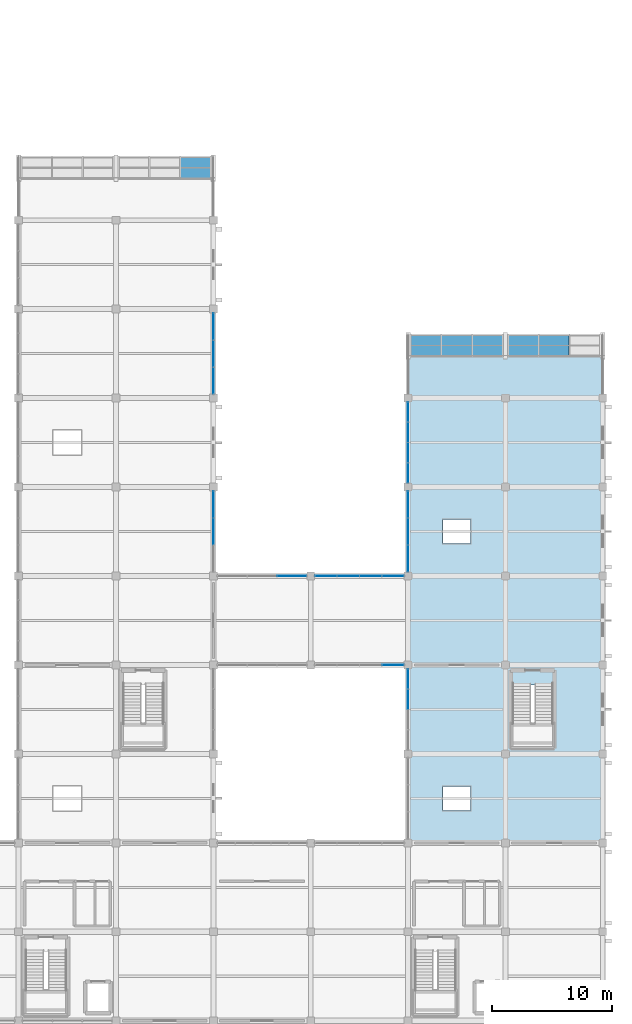
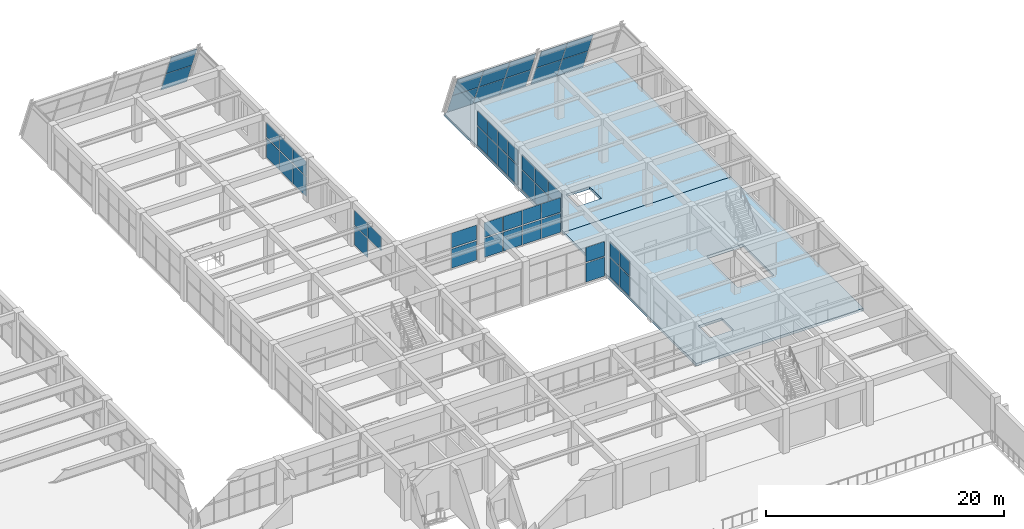
# One storey, part 141 of 161: 51 plates, 2 slabs, 11 elements without a shape of their own.
"""IFC4 building model written with IfcOpenShell, lengths in metres."""

from ifc_helpers import new_model, si_unit, direction, frame, origin, origin_2d, place, context, subcontext, project, spatial, polyline, rectangle, outline, extrude, material, layer, layer_set, type_object, element, aggregate, save


model = new_model("IFC4")

# Units and contexts
model_context = context("Model", 3, precision=1e-05, world=origin(), true_north=direction((0.0, 1.0)))
body_context = subcontext(model_context, "Body", "Model", "MODEL_VIEW")
ifc_project = project(units=[si_unit("LENGTHUNIT", "METRE"), si_unit("AREAUNIT", "SQUARE_METRE"), si_unit("VOLUMEUNIT", "CUBIC_METRE"), si_unit("PLANEANGLEUNIT", "RADIAN"), si_unit("MASSUNIT", "GRAM", prefix="KILO")], contexts=[model_context])

# Site, building, storey
site_placement = place(None, origin())
site = spatial("IfcSite", under=ifc_project, at=site_placement, CompositionType="ELEMENT")
building_placement = place(site_placement, origin())
building = spatial("IfcBuilding", under=site, at=building_placement, Name="Cimatlan Art Gallery", CompositionType="ELEMENT")
storey_placement = place(building_placement, frame((0.0, 0.0, 5.39990234375)))
storey = spatial("IfcBuildingStorey", under=building, at=storey_placement, Name="L01", CompositionType="ELEMENT", Elevation=5.39990234375)

# Curtain wall, plates
ifc_material_1 = material(Name="Anodised bronze unitised curtain wall")
curtain_wall_type_1 = type_object("IfcCurtainWallType", Name="CW-V-06742X03800-B4", PredefinedType="NOTDEFINED", material=ifc_material_1)
curtain_wall_1_placement = place(storey_placement, origin())
curtain_wall_1 = element("IfcCurtainWall", 1, at=curtain_wall_1_placement, inside=storey, type_object=curtain_wall_type_1, Name="CW-L01-18-09-W", PredefinedType="NOTDEFINED")
ifc_material_2 = material(Name="Low-E insulated double glazing", Category="glass")
ifc_layer_1 = layer(ifc_material_2, 0.028076171875)
ifc_layer_set_1 = layer_set([ifc_layer_1], Name="Low-E insulated double glazing")
plate_type_1 = type_object("IfcPlateType", Name="PNL-1627X1488", PredefinedType="CURTAIN_PANEL", material=ifc_layer_set_1)
plate_1_placement = place(storey_placement, frame((147.800048828125, 69.4716796875, 2.18994140625), z_axis=(0.0, 0.0, 1.0), x_axis=(0.0, 1.0, 0.0)))
plate_1 = element("IfcPlate", 2, at=plate_1_placement, type_object=plate_type_1, Name="CW-L01-18-09-W-P12", PredefinedType="CURTAIN_PANEL", context=body_context, shape_type="SweptSolid", body=[
    extrude(rectangle(XDim=1.626953125, YDim=0.028076171875, at=origin_2d()), origin(), (0.0, 0.0, 1.0), 1.488037109375),
])
plate_2_placement = place(storey_placement, frame((147.800048828125, 71.1572265625, 2.18994140625), z_axis=(0.0, 0.0, 1.0), x_axis=(0.0, 1.0, 0.0)))
plate_2 = element("IfcPlate", 3, at=plate_2_placement, type_object=plate_type_1, Name="CW-L01-18-09-W-P22", PredefinedType="CURTAIN_PANEL", context=body_context, shape_type="SweptSolid", body=[
    extrude(rectangle(XDim=1.626953125, YDim=0.028076171875, at=origin_2d()), origin(), (0.0, 0.0, 1.0), 1.488037109375),
])
plate_3_placement = place(storey_placement, frame((147.800048828125, 72.8427734375, 2.18994140625), z_axis=(0.0, 0.0, 1.0), x_axis=(0.0, 1.0, 0.0)))
plate_3 = element("IfcPlate", 4, at=plate_3_placement, type_object=plate_type_1, Name="CW-L01-18-09-W-P32", PredefinedType="CURTAIN_PANEL", context=body_context, shape_type="SweptSolid", body=[
    extrude(rectangle(XDim=1.626953125, YDim=0.028076171875, at=origin_2d()), origin(), (0.0, 0.0, 1.0), 1.488037109375),
])
plate_4_placement = place(storey_placement, frame((147.800048828125, 74.5283203125, 2.18994140625), z_axis=(0.0, 0.0, 1.0), x_axis=(0.0, 1.0, 0.0)))
plate_4 = element("IfcPlate", 5, at=plate_4_placement, type_object=plate_type_1, Name="CW-L01-18-09-W-P42", PredefinedType="CURTAIN_PANEL", context=body_context, shape_type="SweptSolid", body=[
    extrude(rectangle(XDim=1.626953125, YDim=0.028076171875, at=origin_2d()), origin(), (0.0, 0.0, 1.0), 1.488037109375),
])

curtain_wall_type_2 = type_object("IfcCurtainWallType", Name="CW-V-06742X03845-B4", PredefinedType="NOTDEFINED", material=ifc_material_1)
curtain_wall_2_placement = place(storey_placement, origin())
curtain_wall_2 = element("IfcCurtainWall", 6, at=curtain_wall_2_placement, inside=storey, type_object=curtain_wall_type_2, Name="CW-L01-18-06-W", PredefinedType="NOTDEFINED")
ifc_layer_2 = layer(ifc_material_2, 0.028076171875)
ifc_layer_set_2 = layer_set([ifc_layer_2], Name="Low-E insulated double glazing")
plate_type_2 = type_object("IfcPlateType", Name="PNL-1627X1508", PredefinedType="CURTAIN_PANEL", material=ifc_layer_set_2)
plate_5_placement = place(storey_placement, frame((147.800048828125, 50.642822265625, 2.21533203125), z_axis=(0.0, 0.0, 1.0), x_axis=(0.0, 1.0, 0.0)))
plate_5 = element("IfcPlate", 7, at=plate_5_placement, type_object=plate_type_2, Name="CW-L01-18-06-W-P32", PredefinedType="CURTAIN_PANEL", context=body_context, shape_type="SweptSolid", body=[
    extrude(rectangle(XDim=1.626953125, YDim=0.028076171875, at=origin_2d()), origin(), (0.0, 0.0, 1.0), 1.508056640625),
])
plate_6_placement = place(storey_placement, frame((147.800048828125, 52.328369140625, 2.21533203125), z_axis=(0.0, 0.0, 1.0), x_axis=(0.0, 1.0, 0.0)))
plate_6 = element("IfcPlate", 8, at=plate_6_placement, type_object=plate_type_2, Name="CW-L01-18-06-W-P42", PredefinedType="CURTAIN_PANEL", context=body_context, shape_type="SweptSolid", body=[
    extrude(rectangle(XDim=1.626953125, YDim=0.028076171875, at=origin_2d()), origin(), (0.0, 0.0, 1.0), 1.508056640625),
])

# Plate
ifc_layer_3 = layer(ifc_material_2, 0.028076171875)
ifc_layer_set_3 = layer_set([ifc_layer_3], Name="Low-E insulated double glazing")
plate_type_3 = type_object("IfcPlateType", Name="PNL-1627X1944", PredefinedType="CURTAIN_PANEL", material=ifc_layer_set_3)
plate_7_placement = place(storey_placement, frame((147.800048828125, 69.4716796875, 0.1220703125), z_axis=(0.0, 0.0, 1.0), x_axis=(0.0, 1.0, 0.0)))
plate_7 = element("IfcPlate", 9, at=plate_7_placement, type_object=plate_type_3, Name="CW-L01-18-09-W-P11", PredefinedType="CURTAIN_PANEL", context=body_context, shape_type="SweptSolid", body=[
    extrude(rectangle(XDim=1.626953125, YDim=0.028076171875, at=origin_2d()), origin(), (0.0, 0.0, 1.0), 1.944091796875),
])

plate_8_placement = place(storey_placement, frame((147.800048828125, 71.1572265625, 0.1220703125), z_axis=(0.0, 0.0, 1.0), x_axis=(0.0, 1.0, 0.0)))
plate_8 = element("IfcPlate", 10, at=plate_8_placement, type_object=plate_type_3, Name="CW-L01-18-09-W-P21", PredefinedType="CURTAIN_PANEL", context=body_context, shape_type="SweptSolid", body=[
    extrude(rectangle(XDim=1.626953125, YDim=0.028076171875, at=origin_2d()), origin(), (0.0, 0.0, 1.0), 1.944091796875),
])

plate_9_placement = place(storey_placement, frame((147.800048828125, 72.8427734375, 0.1220703125), z_axis=(0.0, 0.0, 1.0), x_axis=(0.0, 1.0, 0.0)))
plate_9 = element("IfcPlate", 11, at=plate_9_placement, type_object=plate_type_3, Name="CW-L01-18-09-W-P31", PredefinedType="CURTAIN_PANEL", context=body_context, shape_type="SweptSolid", body=[
    extrude(rectangle(XDim=1.626953125, YDim=0.028076171875, at=origin_2d()), origin(), (0.0, 0.0, 1.0), 1.944091796875),
])

plate_10_placement = place(storey_placement, frame((147.800048828125, 74.5283203125, 0.1220703125), z_axis=(0.0, 0.0, 1.0), x_axis=(0.0, 1.0, 0.0)))
plate_10 = element("IfcPlate", 12, at=plate_10_placement, type_object=plate_type_3, Name="CW-L01-18-09-W-P41", PredefinedType="CURTAIN_PANEL", context=body_context, shape_type="SweptSolid", body=[
    extrude(rectangle(XDim=1.626953125, YDim=0.028076171875, at=origin_2d()), origin(), (0.0, 0.0, 1.0), 1.944091796875),
])

aggregate(curtain_wall_1, [plate_7, plate_1, plate_8, plate_2, plate_9, plate_3, plate_10, plate_4])

ifc_layer_4 = layer(ifc_material_2, 0.028076171875)
ifc_layer_set_4 = layer_set([ifc_layer_4], Name="Low-E insulated double glazing")
plate_type_4 = type_object("IfcPlateType", Name="PNL-1627X1969", PredefinedType="CURTAIN_PANEL", material=ifc_layer_set_4)
plate_11_placement = place(storey_placement, frame((147.800048828125, 50.642822265625, 0.1220703125), z_axis=(0.0, 0.0, 1.0), x_axis=(0.0, 1.0, 0.0)))
plate_11 = element("IfcPlate", 13, at=plate_11_placement, type_object=plate_type_4, Name="CW-L01-18-06-W-P31", PredefinedType="CURTAIN_PANEL", context=body_context, shape_type="SweptSolid", body=[
    extrude(rectangle(XDim=1.626953125, YDim=0.028076171875, at=origin_2d()), origin(), (0.0, 0.0, 1.0), 1.968994140625),
])

plate_12_placement = place(storey_placement, frame((147.800048828125, 52.328369140625, 0.1220703125), z_axis=(0.0, 0.0, 1.0), x_axis=(0.0, 1.0, 0.0)))
plate_12 = element("IfcPlate", 14, at=plate_12_placement, type_object=plate_type_4, Name="CW-L01-18-06-W-P41", PredefinedType="CURTAIN_PANEL", context=body_context, shape_type="SweptSolid", body=[
    extrude(rectangle(XDim=1.626953125, YDim=0.028076171875, at=origin_2d()), origin(), (0.0, 0.0, 1.0), 1.968994140625),
])

aggregate(curtain_wall_2, [plate_11, plate_5, plate_12, plate_6])

# Curtain wall, plate
curtain_wall_type_3 = type_object("IfcCurtainWallType", Name="CW-V-07442X03785-B4", PredefinedType="NOTDEFINED", material=ifc_material_1)
curtain_wall_3_placement = place(storey_placement, origin())
curtain_wall_3 = element("IfcCurtainWall", 15, at=curtain_wall_3_placement, inside=storey, type_object=curtain_wall_type_3, Name="CW-L01-17-07-S", PredefinedType="NOTDEFINED")
ifc_layer_5 = layer(ifc_material_2, 0.028076171875)
ifc_layer_set_5 = layer_set([ifc_layer_5], Name="Low-E insulated double glazing")
plate_type_5 = type_object("IfcPlateType", Name="PNL-1802X1481", PredefinedType="CURTAIN_PANEL", material=ifc_layer_set_5)
plate_13_placement = place(storey_placement, frame((146.540771484375, 53.5, 2.181884765625), z_axis=(0.0, 0.0, 1.0), x_axis=(-1.0, 0.0, 0.0)))
plate_13 = element("IfcPlate", 16, at=plate_13_placement, type_object=plate_type_5, Name="CW-L01-17-07-S-P12", PredefinedType="CURTAIN_PANEL", context=body_context, shape_type="SweptSolid", body=[
    extrude(rectangle(XDim=1.802001953125, YDim=0.028076171875, at=origin_2d()), origin(), (0.0, 0.0, 1.0), 1.48095703125),
])

# Curtain wall, plates
curtain_wall_4_placement = place(storey_placement, origin())
curtain_wall_4 = element("IfcCurtainWall", 17, at=curtain_wall_4_placement, inside=storey, type_object=curtain_wall_type_3, Name="CW-L01-17-07-N", PredefinedType="NOTDEFINED")
plate_14_placement = place(storey_placement, frame((140.959228515625, 60.89990234375, 2.181884765625), z_axis=(0.0, 0.0, 1.0), x_axis=(1.0, 0.0, 0.0)))
plate_14 = element("IfcPlate", 18, at=plate_14_placement, type_object=plate_type_5, Name="CW-L01-17-07-N-P12", PredefinedType="CURTAIN_PANEL", context=body_context, shape_type="SweptSolid", body=[
    extrude(rectangle(XDim=1.802001953125, YDim=0.028076171875, at=origin_2d()), origin(), (0.0, 0.0, 1.0), 1.48095703125),
])
plate_15_placement = place(storey_placement, frame((142.81982421875, 60.89990234375, 2.181884765625), z_axis=(0.0, 0.0, 1.0), x_axis=(1.0, 0.0, 0.0)))
plate_15 = element("IfcPlate", 19, at=plate_15_placement, type_object=plate_type_5, Name="CW-L01-17-07-N-P22", PredefinedType="CURTAIN_PANEL", context=body_context, shape_type="SweptSolid", body=[
    extrude(rectangle(XDim=1.802001953125, YDim=0.028076171875, at=origin_2d()), origin(), (0.0, 0.0, 1.0), 1.48095703125),
])
plate_16_placement = place(storey_placement, frame((144.68017578125, 60.89990234375, 2.181884765625), z_axis=(0.0, 0.0, 1.0), x_axis=(1.0, 0.0, 0.0)))
plate_16 = element("IfcPlate", 20, at=plate_16_placement, type_object=plate_type_5, Name="CW-L01-17-07-N-P32", PredefinedType="CURTAIN_PANEL", context=body_context, shape_type="SweptSolid", body=[
    extrude(rectangle(XDim=1.802001953125, YDim=0.028076171875, at=origin_2d()), origin(), (0.0, 0.0, 1.0), 1.48095703125),
])
plate_17_placement = place(storey_placement, frame((146.540771484375, 60.89990234375, 2.181884765625), z_axis=(0.0, 0.0, 1.0), x_axis=(1.0, 0.0, 0.0)))
plate_17 = element("IfcPlate", 21, at=plate_17_placement, type_object=plate_type_5, Name="CW-L01-17-07-N-P42", PredefinedType="CURTAIN_PANEL", context=body_context, shape_type="SweptSolid", body=[
    extrude(rectangle(XDim=1.802001953125, YDim=0.028076171875, at=origin_2d()), origin(), (0.0, 0.0, 1.0), 1.48095703125),
])

# Plate
ifc_layer_6 = layer(ifc_material_2, 0.028076171875)
ifc_layer_set_6 = layer_set([ifc_layer_6], Name="Low-E insulated double glazing")
plate_type_6 = type_object("IfcPlateType", Name="PNL-1802X1936", PredefinedType="CURTAIN_PANEL", material=ifc_layer_set_6)
plate_18_placement = place(storey_placement, frame((146.540771484375, 53.5, 0.121826171875), z_axis=(0.0, 0.0, 1.0), x_axis=(-1.0, 0.0, 0.0)))
plate_18 = element("IfcPlate", 22, at=plate_18_placement, type_object=plate_type_6, Name="CW-L01-17-07-S-P11", PredefinedType="CURTAIN_PANEL", context=body_context, shape_type="SweptSolid", body=[
    extrude(rectangle(XDim=1.802001953125, YDim=0.028076171875, at=origin_2d()), origin(), (0.0, 0.0, 1.0), 1.93603515625),
])

aggregate(curtain_wall_3, [plate_18, plate_13])

plate_19_placement = place(storey_placement, frame((140.959228515625, 60.89990234375, 0.121826171875), z_axis=(0.0, 0.0, 1.0), x_axis=(1.0, 0.0, 0.0)))
plate_19 = element("IfcPlate", 23, at=plate_19_placement, type_object=plate_type_6, Name="CW-L01-17-07-N-P11", PredefinedType="CURTAIN_PANEL", context=body_context, shape_type="SweptSolid", body=[
    extrude(rectangle(XDim=1.802001953125, YDim=0.028076171875, at=origin_2d()), origin(), (0.0, 0.0, 1.0), 1.93603515625),
])

plate_20_placement = place(storey_placement, frame((142.81982421875, 60.89990234375, 0.121826171875), z_axis=(0.0, 0.0, 1.0), x_axis=(1.0, 0.0, 0.0)))
plate_20 = element("IfcPlate", 24, at=plate_20_placement, type_object=plate_type_6, Name="CW-L01-17-07-N-P21", PredefinedType="CURTAIN_PANEL", context=body_context, shape_type="SweptSolid", body=[
    extrude(rectangle(XDim=1.802001953125, YDim=0.028076171875, at=origin_2d()), origin(), (0.0, 0.0, 1.0), 1.93603515625),
])

plate_21_placement = place(storey_placement, frame((144.68017578125, 60.89990234375, 0.121826171875), z_axis=(0.0, 0.0, 1.0), x_axis=(1.0, 0.0, 0.0)))
plate_21 = element("IfcPlate", 25, at=plate_21_placement, type_object=plate_type_6, Name="CW-L01-17-07-N-P31", PredefinedType="CURTAIN_PANEL", context=body_context, shape_type="SweptSolid", body=[
    extrude(rectangle(XDim=1.802001953125, YDim=0.028076171875, at=origin_2d()), origin(), (0.0, 0.0, 1.0), 1.93603515625),
])

plate_22_placement = place(storey_placement, frame((146.540771484375, 60.89990234375, 0.121826171875), z_axis=(0.0, 0.0, 1.0), x_axis=(1.0, 0.0, 0.0)))
plate_22 = element("IfcPlate", 26, at=plate_22_placement, type_object=plate_type_6, Name="CW-L01-17-07-N-P41", PredefinedType="CURTAIN_PANEL", context=body_context, shape_type="SweptSolid", body=[
    extrude(rectangle(XDim=1.802001953125, YDim=0.028076171875, at=origin_2d()), origin(), (0.0, 0.0, 1.0), 1.93603515625),
])

aggregate(curtain_wall_4, [plate_19, plate_14, plate_20, plate_15, plate_21, plate_16, plate_22, plate_17])

# Curtain wall, plates
curtain_wall_type_4 = type_object("IfcCurtainWallType", Name="CW-V-06742X03770-B3", PredefinedType="NOTDEFINED", material=ifc_material_1)
curtain_wall_5_placement = place(storey_placement, origin())
curtain_wall_5 = element("IfcCurtainWall", 27, at=curtain_wall_5_placement, inside=storey, type_object=curtain_wall_type_4, Name="CW-L01-15-08-E", PredefinedType="NOTDEFINED")
ifc_layer_7 = layer(ifc_material_2, 0.028076171875)
ifc_layer_set_7 = layer_set([ifc_layer_7], Name="Low-E insulated double glazing")
plate_type_7 = type_object("IfcPlateType", Name="PNL-2189X1475", PredefinedType="CURTAIN_PANEL", material=ifc_layer_set_7)
plate_23_placement = place(storey_placement, frame((131.60009765625, 66.847412109375, 2.173095703125), z_axis=(0.0, 0.0, 1.0), x_axis=(0.0, -1.0, 0.0)))
plate_23 = element("IfcPlate", 28, at=plate_23_placement, type_object=plate_type_7, Name="CW-L01-15-08-E-P12", PredefinedType="CURTAIN_PANEL", context=body_context, shape_type="SweptSolid", body=[
    extrude(rectangle(XDim=2.18896484375, YDim=0.028076171875, at=origin_2d()), origin(), (0.0, 0.0, 1.0), 1.47509765625),
])
plate_24_placement = place(storey_placement, frame((131.60009765625, 64.60009765625, 2.173095703125), z_axis=(0.0, 0.0, 1.0), x_axis=(0.0, -1.0, 0.0)))
plate_24 = element("IfcPlate", 29, at=plate_24_placement, type_object=plate_type_7, Name="CW-L01-15-08-E-P22", PredefinedType="CURTAIN_PANEL", context=body_context, shape_type="SweptSolid", body=[
    extrude(rectangle(XDim=2.18896484375, YDim=0.028076171875, at=origin_2d()), origin(), (0.0, 0.0, 1.0), 1.47509765625),
])

curtain_wall_type_5 = type_object("IfcCurtainWallType", Name="CW-V-06742X03815-B3", PredefinedType="NOTDEFINED", material=ifc_material_1)
curtain_wall_6_placement = place(storey_placement, origin())
curtain_wall_6 = element("IfcCurtainWall", 30, at=curtain_wall_6_placement, inside=storey, type_object=curtain_wall_type_5, Name="CW-L01-18-08-W", PredefinedType="NOTDEFINED")
ifc_layer_8 = layer(ifc_material_2, 0.028076171875)
ifc_layer_set_8 = layer_set([ifc_layer_8], Name="Low-E insulated double glazing")
plate_type_8 = type_object("IfcPlateType", Name="PNL-2189X1495", PredefinedType="CURTAIN_PANEL", material=ifc_layer_set_8)
plate_25_placement = place(storey_placement, frame((147.800048828125, 62.352783203125, 2.1982421875), z_axis=(0.0, 0.0, 1.0), x_axis=(0.0, 1.0, 0.0)))
plate_25 = element("IfcPlate", 31, at=plate_25_placement, type_object=plate_type_8, Name="CW-L01-18-08-W-P12", PredefinedType="CURTAIN_PANEL", context=body_context, shape_type="SweptSolid", body=[
    extrude(rectangle(XDim=2.18896484375, YDim=0.028076171875, at=origin_2d()), origin(), (0.0, 0.0, 1.0), 1.4951171875),
])
plate_26_placement = place(storey_placement, frame((147.800048828125, 64.60009765625, 2.1982421875), z_axis=(0.0, 0.0, 1.0), x_axis=(0.0, 1.0, 0.0)))
plate_26 = element("IfcPlate", 32, at=plate_26_placement, type_object=plate_type_8, Name="CW-L01-18-08-W-P22", PredefinedType="CURTAIN_PANEL", context=body_context, shape_type="SweptSolid", body=[
    extrude(rectangle(XDim=2.18896484375, YDim=0.028076171875, at=origin_2d()), origin(), (0.0, 0.0, 1.0), 1.4951171875),
])
plate_27_placement = place(storey_placement, frame((147.800048828125, 66.847412109375, 2.1982421875), z_axis=(0.0, 0.0, 1.0), x_axis=(0.0, 1.0, 0.0)))
plate_27 = element("IfcPlate", 33, at=plate_27_placement, type_object=plate_type_8, Name="CW-L01-18-08-W-P32", PredefinedType="CURTAIN_PANEL", context=body_context, shape_type="SweptSolid", body=[
    extrude(rectangle(XDim=2.18896484375, YDim=0.028076171875, at=origin_2d()), origin(), (0.0, 0.0, 1.0), 1.4951171875),
])

curtain_wall_type_6 = type_object("IfcCurtainWallType", Name="CW-V-06742X03830-B3", PredefinedType="NOTDEFINED", material=ifc_material_1)
curtain_wall_7_placement = place(storey_placement, origin())
curtain_wall_7 = element("IfcCurtainWall", 34, at=curtain_wall_7_placement, inside=storey, type_object=curtain_wall_type_6, Name="CW-L01-15-10-E", PredefinedType="NOTDEFINED")
ifc_layer_9 = layer(ifc_material_2, 0.028076171875)
ifc_layer_set_9 = layer_set([ifc_layer_9], Name="Low-E insulated double glazing")
plate_type_9 = type_object("IfcPlateType", Name="PNL-2189X1501", PredefinedType="CURTAIN_PANEL", material=ifc_layer_set_9)
plate_28_placement = place(storey_placement, frame((131.60009765625, 81.647216796875, 2.20703125), z_axis=(0.0, 0.0, 1.0), x_axis=(0.0, -1.0, 0.0)))
plate_28 = element("IfcPlate", 35, at=plate_28_placement, type_object=plate_type_9, Name="CW-L01-15-10-E-P12", PredefinedType="CURTAIN_PANEL", context=body_context, shape_type="SweptSolid", body=[
    extrude(rectangle(XDim=2.18896484375, YDim=0.028076171875, at=origin_2d()), origin(), (0.0, 0.0, 1.0), 1.5009765625),
])
plate_29_placement = place(storey_placement, frame((131.60009765625, 79.39990234375, 2.20703125), z_axis=(0.0, 0.0, 1.0), x_axis=(0.0, -1.0, 0.0)))
plate_29 = element("IfcPlate", 36, at=plate_29_placement, type_object=plate_type_9, Name="CW-L01-15-10-E-P22", PredefinedType="CURTAIN_PANEL", context=body_context, shape_type="SweptSolid", body=[
    extrude(rectangle(XDim=2.18896484375, YDim=0.028076171875, at=origin_2d()), origin(), (0.0, 0.0, 1.0), 1.5009765625),
])
plate_30_placement = place(storey_placement, frame((131.60009765625, 77.152587890625, 2.20703125), z_axis=(0.0, 0.0, 1.0), x_axis=(0.0, -1.0, 0.0)))
plate_30 = element("IfcPlate", 37, at=plate_30_placement, type_object=plate_type_9, Name="CW-L01-15-10-E-P32", PredefinedType="CURTAIN_PANEL", context=body_context, shape_type="SweptSolid", body=[
    extrude(rectangle(XDim=2.18896484375, YDim=0.028076171875, at=origin_2d()), origin(), (0.0, 0.0, 1.0), 1.5009765625),
])

# Plate
ifc_layer_10 = layer(ifc_material_2, 0.028076171875)
ifc_layer_set_10 = layer_set([ifc_layer_10], Name="Low-E insulated double glazing")
plate_type_10 = type_object("IfcPlateType", Name="PNL-2189X1927", PredefinedType="CURTAIN_PANEL", material=ifc_layer_set_10)
plate_31_placement = place(storey_placement, frame((131.60009765625, 66.847412109375, 0.1220703125), z_axis=(0.0, 0.0, 1.0), x_axis=(0.0, -1.0, 0.0)))
plate_31 = element("IfcPlate", 38, at=plate_31_placement, type_object=plate_type_10, Name="CW-L01-15-08-E-P11", PredefinedType="CURTAIN_PANEL", context=body_context, shape_type="SweptSolid", body=[
    extrude(rectangle(XDim=2.18896484375, YDim=0.028076171875, at=origin_2d()), origin(), (0.0, 0.0, 1.0), 1.927001953125),
])

aggregate(curtain_wall_5, [plate_31, plate_23, plate_24])

ifc_layer_11 = layer(ifc_material_2, 0.028076171875)
ifc_layer_set_11 = layer_set([ifc_layer_11], Name="Low-E insulated double glazing")
plate_type_11 = type_object("IfcPlateType", Name="PNL-2189X1952", PredefinedType="CURTAIN_PANEL", material=ifc_layer_set_11)
plate_32_placement = place(storey_placement, frame((147.800048828125, 62.352783203125, 0.12255859375), z_axis=(0.0, 0.0, 1.0), x_axis=(0.0, 1.0, 0.0)))
plate_32 = element("IfcPlate", 39, at=plate_32_placement, type_object=plate_type_11, Name="CW-L01-18-08-W-P11", PredefinedType="CURTAIN_PANEL", context=body_context, shape_type="SweptSolid", body=[
    extrude(rectangle(XDim=2.18896484375, YDim=0.028076171875, at=origin_2d()), origin(), (0.0, 0.0, 1.0), 1.951904296875),
])

plate_33_placement = place(storey_placement, frame((147.800048828125, 64.60009765625, 0.12255859375), z_axis=(0.0, 0.0, 1.0), x_axis=(0.0, 1.0, 0.0)))
plate_33 = element("IfcPlate", 40, at=plate_33_placement, type_object=plate_type_11, Name="CW-L01-18-08-W-P21", PredefinedType="CURTAIN_PANEL", context=body_context, shape_type="SweptSolid", body=[
    extrude(rectangle(XDim=2.18896484375, YDim=0.028076171875, at=origin_2d()), origin(), (0.0, 0.0, 1.0), 1.951904296875),
])

plate_34_placement = place(storey_placement, frame((147.800048828125, 66.847412109375, 0.12255859375), z_axis=(0.0, 0.0, 1.0), x_axis=(0.0, 1.0, 0.0)))
plate_34 = element("IfcPlate", 41, at=plate_34_placement, type_object=plate_type_11, Name="CW-L01-18-08-W-P31", PredefinedType="CURTAIN_PANEL", context=body_context, shape_type="SweptSolid", body=[
    extrude(rectangle(XDim=2.18896484375, YDim=0.028076171875, at=origin_2d()), origin(), (0.0, 0.0, 1.0), 1.951904296875),
])

aggregate(curtain_wall_6, [plate_32, plate_25, plate_33, plate_26, plate_34, plate_27])

ifc_layer_12 = layer(ifc_material_2, 0.028076171875)
ifc_layer_set_12 = layer_set([ifc_layer_12], Name="Low-E insulated double glazing")
plate_type_12 = type_object("IfcPlateType", Name="PNL-2189X1961", PredefinedType="CURTAIN_PANEL", material=ifc_layer_set_12)
plate_35_placement = place(storey_placement, frame((131.60009765625, 81.647216796875, 0.1220703125), z_axis=(0.0, 0.0, 1.0), x_axis=(0.0, -1.0, 0.0)))
plate_35 = element("IfcPlate", 42, at=plate_35_placement, type_object=plate_type_12, Name="CW-L01-15-10-E-P11", PredefinedType="CURTAIN_PANEL", context=body_context, shape_type="SweptSolid", body=[
    extrude(rectangle(XDim=2.18896484375, YDim=0.028076171875, at=origin_2d()), origin(), (0.0, 0.0, 1.0), 1.9609375),
])

plate_36_placement = place(storey_placement, frame((131.60009765625, 79.39990234375, 0.1220703125), z_axis=(0.0, 0.0, 1.0), x_axis=(0.0, -1.0, 0.0)))
plate_36 = element("IfcPlate", 43, at=plate_36_placement, type_object=plate_type_12, Name="CW-L01-15-10-E-P21", PredefinedType="CURTAIN_PANEL", context=body_context, shape_type="SweptSolid", body=[
    extrude(rectangle(XDim=2.18896484375, YDim=0.028076171875, at=origin_2d()), origin(), (0.0, 0.0, 1.0), 1.9609375),
])

plate_37_placement = place(storey_placement, frame((131.60009765625, 77.152587890625, 0.1220703125), z_axis=(0.0, 0.0, 1.0), x_axis=(0.0, -1.0, 0.0)))
plate_37 = element("IfcPlate", 44, at=plate_37_placement, type_object=plate_type_12, Name="CW-L01-15-10-E-P31", PredefinedType="CURTAIN_PANEL", context=body_context, shape_type="SweptSolid", body=[
    extrude(rectangle(XDim=2.18896484375, YDim=0.028076171875, at=origin_2d()), origin(), (0.0, 0.0, 1.0), 1.9609375),
])

aggregate(curtain_wall_7, [plate_35, plate_28, plate_36, plate_29, plate_37, plate_30])

# Curtain wall, plates
curtain_wall_type_7 = type_object("IfcCurtainWallType", Name="CW-V-07442X03830-B3", PredefinedType="NOTDEFINED", material=ifc_material_1)
curtain_wall_8_placement = place(storey_placement, origin())
curtain_wall_8 = element("IfcCurtainWall", 45, at=curtain_wall_8_placement, inside=storey, type_object=curtain_wall_type_7, Name="CW-L01-16-07-N", PredefinedType="NOTDEFINED")
ifc_layer_13 = layer(ifc_material_2, 0.028076171875)
ifc_layer_set_13 = layer_set([ifc_layer_13], Name="Low-E insulated double glazing")
plate_type_13 = type_object("IfcPlateType", Name="PNL-2423X1501", PredefinedType="CURTAIN_PANEL", material=ifc_layer_set_13)
plate_38_placement = place(storey_placement, frame((138.130615234375, 60.89990234375, 2.20703125), z_axis=(0.0, 0.0, 1.0), x_axis=(1.0, 0.0, 0.0)))
plate_38 = element("IfcPlate", 46, at=plate_38_placement, type_object=plate_type_13, Name="CW-L01-16-07-N-P32", PredefinedType="CURTAIN_PANEL", context=body_context, shape_type="SweptSolid", body=[
    extrude(rectangle(XDim=2.423095703125, YDim=0.028076171875, at=origin_2d()), origin(), (0.0, 0.0, 1.0), 1.5009765625),
])
ifc_layer_14 = layer(ifc_material_2, 0.028076171875)
ifc_layer_set_14 = layer_set([ifc_layer_14], Name="Low-E insulated double glazing")
plate_type_14 = type_object("IfcPlateType", Name="PNL-2423X1961", PredefinedType="CURTAIN_PANEL", material=ifc_layer_set_14)
plate_39_placement = place(storey_placement, frame((138.130615234375, 60.89990234375, 0.1220703125), z_axis=(0.0, 0.0, 1.0), x_axis=(1.0, 0.0, 0.0)))
plate_39 = element("IfcPlate", 47, at=plate_39_placement, type_object=plate_type_14, Name="CW-L01-16-07-N-P31", PredefinedType="CURTAIN_PANEL", context=body_context, shape_type="SweptSolid", body=[
    extrude(rectangle(XDim=2.423095703125, YDim=0.028076171875, at=origin_2d()), origin(), (0.0, 0.0, 1.0), 1.9609375),
])
aggregate(curtain_wall_8, [plate_39, plate_38])

ifc_material_3 = material(Name="Raked steel-and-bronze lancet curtain wall", Category="steel")
curtain_wall_type_8 = type_object("IfcCurtainWallType", Name="CW-RAK-07660X04901-B3", PredefinedType="NOTDEFINED", material=ifc_material_3)
curtain_wall_9_placement = place(storey_placement, origin())
curtain_wall_9 = element("IfcCurtainWall", 48, at=curtain_wall_9_placement, inside=storey, type_object=curtain_wall_type_8, Name="CW-PROW-L01-B4-15", PredefinedType="NOTDEFINED")
ifc_material_4 = material(Name="Low-E laminated skylight safety glazing", Category="glass")
ifc_layer_15 = layer(ifc_material_4, 0.031982421875)
ifc_layer_set_15 = layer_set([ifc_layer_15], Name="Low-E laminated skylight safety glazing")
plate_type_15 = type_object("IfcPlateType", Name="PNL-RAK-2513X2352", PredefinedType="CURTAIN_PANEL", material=ifc_layer_set_15)
plate_40_placement = place(storey_placement, frame((128.8466796875, 95.74609375, 0.068603515625), z_axis=(0.0, 0.930396595291, 0.366554464536), x_axis=(1.0, 0.0, 0.0)))
plate_40 = element("IfcPlate", 49, at=plate_40_placement, type_object=plate_type_15, Name="CW-PROW-L01-B4-15-P31", PredefinedType="CURTAIN_PANEL", context=body_context, shape_type="SweptSolid", body=[
    extrude(outline(polyline([(0.0, 0.0), (2.51318359375, 0.0), (2.51318359375, -2.3524599232234475), (0.0, -2.3524599232234475), (0.0, 0.0)])), origin(), (0.0, 0.0, -1.0), 0.031982421875),
])
plate_41_placement = place(storey_placement, frame((128.8466796875, 94.86572265625, 2.302978515625), z_axis=(0.0, 0.930431985876, 0.366464622658), x_axis=(1.0, 0.0, 0.0)))
plate_41 = element("IfcPlate", 50, at=plate_41_placement, type_object=plate_type_15, Name="CW-PROW-L01-B4-15-P32", PredefinedType="CURTAIN_PANEL", context=body_context, shape_type="SweptSolid", body=[
    extrude(outline(polyline([(0.0, 0.0), (2.51318359375, 0.0), (2.51318359375, -2.352370443354196), (0.0, -2.352370443354196), (0.0, 0.0)])), origin(), (0.0, 0.0, -1.0), 0.031982421875),
])
aggregate(curtain_wall_9, [plate_40, plate_41])

curtain_wall_10_placement = place(storey_placement, origin())
curtain_wall_10 = element("IfcCurtainWall", 51, at=curtain_wall_10_placement, inside=storey, type_object=curtain_wall_type_8, Name="CW-PROW-L01-B5-18", PredefinedType="NOTDEFINED")
plate_42_placement = place(storey_placement, frame((148.040283203125, 80.946044921875, 0.068603515625), z_axis=(0.0, 0.930396595291, 0.366554464536), x_axis=(1.0, 0.0, 0.0)))
plate_42 = element("IfcPlate", 52, at=plate_42_placement, type_object=plate_type_15, Name="CW-PROW-L01-B5-18-P11", PredefinedType="CURTAIN_PANEL", context=body_context, shape_type="SweptSolid", body=[
    extrude(outline(polyline([(0.0, 0.0), (2.512939453125, 0.0), (2.512939453125, -2.352459923223447), (0.0, -2.352459923223447), (0.0, 0.0)])), origin(), (0.0, 0.0, -1.0), 0.031982421875),
])
plate_43_placement = place(storey_placement, frame((148.040283203125, 80.06591796875, 2.302978515625), z_axis=(0.0, 0.930396595291, 0.366554464536), x_axis=(1.0, 0.0, 0.0)))
plate_43 = element("IfcPlate", 53, at=plate_43_placement, type_object=plate_type_15, Name="CW-PROW-L01-B5-18-P12", PredefinedType="CURTAIN_PANEL", context=body_context, shape_type="SweptSolid", body=[
    extrude(outline(polyline([(0.0, 0.0), (2.512939453125, 0.0), (2.512939453125, -2.352459923223447), (0.0, -2.352459923223447), (0.0, 0.0)])), origin(), (0.0, 0.0, -1.0), 0.031982421875),
])
plate_44_placement = place(storey_placement, frame((150.593505859375, 80.946044921875, 0.068603515625), z_axis=(0.0, 0.930396595291, 0.366554464536), x_axis=(1.0, 0.0, 0.0)))
plate_44 = element("IfcPlate", 54, at=plate_44_placement, type_object=plate_type_15, Name="CW-PROW-L01-B5-18-P21", PredefinedType="CURTAIN_PANEL", context=body_context, shape_type="SweptSolid", body=[
    extrude(outline(polyline([(0.0, 0.0), (2.512939453125, 0.0), (2.512939453125, -2.352459923223447), (0.0, -2.352459923223447), (0.0, 0.0)])), origin(), (0.0, 0.0, -1.0), 0.031982421875),
])
plate_45_placement = place(storey_placement, frame((150.593505859375, 80.06591796875, 2.302978515625), z_axis=(0.0, 0.930396595291, 0.366554464536), x_axis=(1.0, 0.0, 0.0)))
plate_45 = element("IfcPlate", 55, at=plate_45_placement, type_object=plate_type_15, Name="CW-PROW-L01-B5-18-P22", PredefinedType="CURTAIN_PANEL", context=body_context, shape_type="SweptSolid", body=[
    extrude(outline(polyline([(0.0, 0.0), (2.512939453125, 0.0), (2.512939453125, -2.352459923223447), (0.0, -2.352459923223447), (0.0, 0.0)])), origin(), (0.0, 0.0, -1.0), 0.031982421875),
])
plate_46_placement = place(storey_placement, frame((153.146728515625, 80.946044921875, 0.068603515625), z_axis=(0.0, 0.930396595291, 0.366554464536), x_axis=(1.0, 0.0, 0.0)))
plate_46 = element("IfcPlate", 56, at=plate_46_placement, type_object=plate_type_15, Name="CW-PROW-L01-B5-18-P31", PredefinedType="CURTAIN_PANEL", context=body_context, shape_type="SweptSolid", body=[
    extrude(outline(polyline([(0.0, 0.0), (2.51318359375, 0.0), (2.51318359375, -2.3524599232234475), (0.0, -2.3524599232234475), (0.0, 0.0)])), origin(), (0.0, 0.0, -1.0), 0.031982421875),
])
plate_47_placement = place(storey_placement, frame((153.146728515625, 80.06591796875, 2.302978515625), z_axis=(0.0, 0.930396595291, 0.366554464536), x_axis=(1.0, 0.0, 0.0)))
plate_47 = element("IfcPlate", 57, at=plate_47_placement, type_object=plate_type_15, Name="CW-PROW-L01-B5-18-P32", PredefinedType="CURTAIN_PANEL", context=body_context, shape_type="SweptSolid", body=[
    extrude(outline(polyline([(0.0, 0.0), (2.51318359375, 0.0), (2.51318359375, -2.3524599232234475), (0.0, -2.3524599232234475), (0.0, 0.0)])), origin(), (0.0, 0.0, -1.0), 0.031982421875),
])
aggregate(curtain_wall_10, [plate_42, plate_43, plate_44, plate_45, plate_46, plate_47])

curtain_wall_11_placement = place(storey_placement, origin())
curtain_wall_11 = element("IfcCurtainWall", 58, at=curtain_wall_11_placement, inside=storey, type_object=curtain_wall_type_8, Name="CW-PROW-L01-B5-19", PredefinedType="NOTDEFINED")
plate_48_placement = place(storey_placement, frame((156.14013671875, 80.946044921875, 0.068603515625), z_axis=(0.0, 0.930396595291, 0.366554464536), x_axis=(1.0, 0.0, 0.0)))
plate_48 = element("IfcPlate", 59, at=plate_48_placement, type_object=plate_type_15, Name="CW-PROW-L01-B5-19-P11", PredefinedType="CURTAIN_PANEL", context=body_context, shape_type="SweptSolid", body=[
    extrude(outline(polyline([(0.0, 0.0), (2.51318359375, 0.0), (2.51318359375, -2.3524599232234475), (0.0, -2.3524599232234475), (0.0, 0.0)])), origin(), (0.0, 0.0, -1.0), 0.031982421875),
])
plate_49_placement = place(storey_placement, frame((156.14013671875, 80.06591796875, 2.302978515625), z_axis=(0.0, 0.930396595291, 0.366554464536), x_axis=(1.0, 0.0, 0.0)))
plate_49 = element("IfcPlate", 60, at=plate_49_placement, type_object=plate_type_15, Name="CW-PROW-L01-B5-19-P12", PredefinedType="CURTAIN_PANEL", context=body_context, shape_type="SweptSolid", body=[
    extrude(outline(polyline([(0.0, 0.0), (2.51318359375, 0.0), (2.51318359375, -2.3524599232234475), (0.0, -2.3524599232234475), (0.0, 0.0)])), origin(), (0.0, 0.0, -1.0), 0.031982421875),
])
plate_50_placement = place(storey_placement, frame((158.693603515625, 80.946044921875, 0.068603515625), z_axis=(0.0, 0.930396595291, 0.366554464536), x_axis=(1.0, 0.0, 0.0)))
plate_50 = element("IfcPlate", 61, at=plate_50_placement, type_object=plate_type_15, Name="CW-PROW-L01-B5-19-P21", PredefinedType="CURTAIN_PANEL", context=body_context, shape_type="SweptSolid", body=[
    extrude(outline(polyline([(0.0, 0.0), (2.512939453125, 0.0), (2.512939453125, -2.352459923223447), (0.0, -2.352459923223447), (0.0, 0.0)])), origin(), (0.0, 0.0, -1.0), 0.031982421875),
])
plate_51_placement = place(storey_placement, frame((158.693603515625, 80.06591796875, 2.302978515625), z_axis=(0.0, 0.930396595291, 0.366554464536), x_axis=(1.0, 0.0, 0.0)))
plate_51 = element("IfcPlate", 62, at=plate_51_placement, type_object=plate_type_15, Name="CW-PROW-L01-B5-19-P22", PredefinedType="CURTAIN_PANEL", context=body_context, shape_type="SweptSolid", body=[
    extrude(outline(polyline([(0.0, 0.0), (2.512939453125, 0.0), (2.512939453125, -2.352459923223447), (0.0, -2.352459923223447), (0.0, 0.0)])), origin(), (0.0, 0.0, -1.0), 0.031982421875),
])
aggregate(curtain_wall_11, [plate_48, plate_49, plate_50, plate_51])

# Slabs
ifc_material_5 = material(Name="Concrete C35/45", Category="concrete")
ifc_layer_16 = layer(ifc_material_5, 0.264892578125)
ifc_layer_set_16 = layer_set([ifc_layer_16], Name="Concrete C35/45")
slab_type = type_object("IfcSlabType", Name="SLB-FLR-L01", PredefinedType="FLOOR", material=ifc_layer_set_16)
slab_1_placement = place(storey_placement, frame((0.0, 0.0, -0.264892578125)))
element("IfcSlab", 63, at=slab_1_placement, inside=storey, type_object=slab_type, Name="SLB-L01-B5S", PredefinedType="FLOOR", context=body_context, shape_type="SweptSolid", body=[
    extrude(outline(polyline([(147.800048828125, 38.699951171875), (164.0, 38.699951171875), (164.0, 60.89990234375), (147.800048828125, 60.89990234375), (147.800048828125, 38.699951171875)]), holes=[polyline([(156.39990234375, 46.6201171875), (159.919921875, 46.6201171875), (159.919921875, 51.85009765625), (156.39990234375, 51.85009765625), (156.39990234375, 46.6201171875)]), polyline([(150.699951171875, 41.39990234375), (153.0, 41.39990234375), (153.0, 43.39990234375), (150.699951171875, 43.39990234375), (150.699951171875, 41.39990234375)])]), origin(), (0.0, 0.0, 1.0), 0.264892578125),
])
slab_2_placement = place(storey_placement, frame((0.0, 0.0, -0.264892578125)))
element("IfcSlab", 64, at=slab_2_placement, inside=storey, type_object=slab_type, Name="SLB-L01-B5N", PredefinedType="FLOOR", context=body_context, shape_type="SweptSolid", body=[
    extrude(outline(polyline([(147.800048828125, 60.89990234375), (164.0, 60.89990234375), (164.0, 80.972900390625), (147.800048828125, 80.972900390625), (147.800048828125, 60.89990234375)]), holes=[polyline([(150.699951171875, 63.60009765625), (153.0, 63.60009765625), (153.0, 65.60009765625), (150.699951171875, 65.60009765625), (150.699951171875, 63.60009765625)])]), origin(), (0.0, 0.0, 1.0), 0.264892578125),
])

save(model, "model.ifc")
